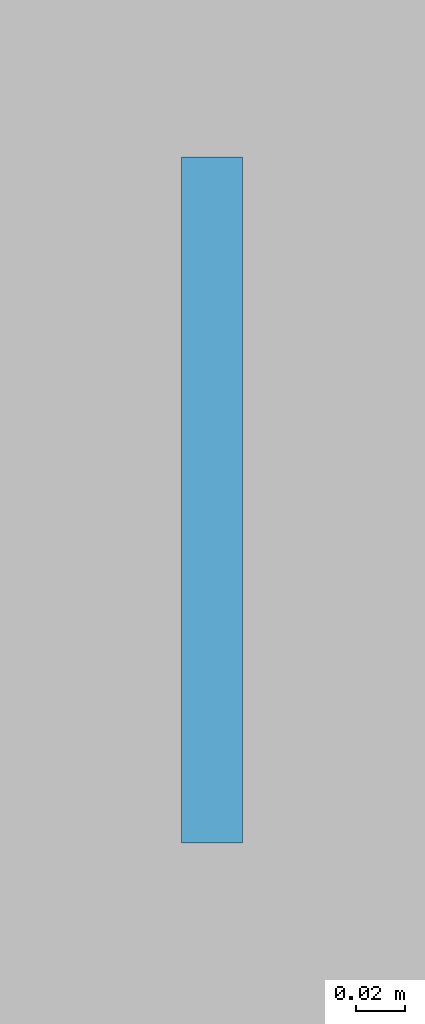
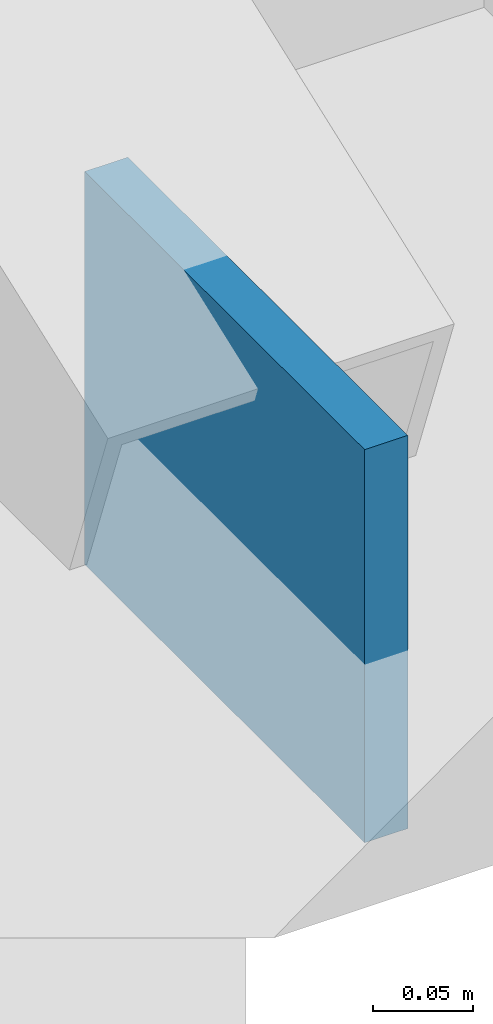
# One storey, part 117 of 147: 1 plate.
"""IFC4 building model written with IfcOpenShell, lengths in metres."""

import ifcopenshell
import ifcopenshell.guid

model = None  # the IFC model being written
_history = None  # IfcOwnerHistory: only IFC2X3 demands one
_inside = {}  # id of a spatial element -> (the spatial element, [elements in it])
_under = {}  # id of a project, library or spatial element -> (it, [spatial elements below it])
_declared = {}  # id of a project -> (the project, [libraries it declares])
_typed = {}  # id of a type object -> (the type object, [elements of that type])
_made_of = {}  # id of a material, layer set ... -> (it, [elements and type objects made of it])


def new_model(schema):
    """Start an empty IFC model of exactly this schema.

    Asked for "IFC4X3", IfcOpenShell would pick the latest addendum, in which some entities
    have other attributes; the version numbers below select the first issue.
    IFC2X3 requires an IfcOwnerHistory on every rooted entity: one is made here for all.
    """
    global model, _history
    if schema == "IFC4X3":
        model = ifcopenshell.file(schema_version=(4, 3, 0, 0))
    else:
        model = ifcopenshell.file(schema=schema)
    _inside.clear()
    _under.clear()
    _declared.clear()
    _typed.clear()
    _made_of.clear()
    _history = None
    if model.schema == "IFC2X3":
        org = make("IfcOrganization", Name="unknown")
        user = make(
            "IfcPersonAndOrganization",
            ThePerson=make("IfcPerson", FamilyName="unknown"),
            TheOrganization=org,
        )
        app = make(
            "IfcApplication",
            ApplicationDeveloper=org,
            Version="unknown",
            ApplicationFullName="unknown",
            ApplicationIdentifier="unknown",
        )
        _history = make(
            "IfcOwnerHistory",
            OwningUser=user,
            OwningApplication=app,
            ChangeAction="ADDED",
            CreationDate=0,
        )
    return model


def make(cls, **values):
    """One entity of the class cls with the attributes given. An attribute that is None is left unset."""
    return model.create_entity(
        cls, **{name: value for name, value in values.items() if value is not None}
    )


def rooted(cls, **values):
    """An entity with a GlobalId (a new one), such as an element, a storey or a relation."""
    return make(cls, GlobalId=ifcopenshell.guid.new(), OwnerHistory=_history, **values)


def si_unit(unit_type, name, prefix=None):
    """IfcSIUnit, for example si_unit("LENGTHUNIT", "METRE", prefix="MILLI")."""
    return make("IfcSIUnit", UnitType=unit_type, Prefix=prefix, Name=name)


def assignment(units):
    """IfcUnitAssignment: the units of a project."""
    return None if units is None else make("IfcUnitAssignment", Units=units)


def point(xyz):
    """IfcCartesianPoint."""
    return None if xyz is None else make("IfcCartesianPoint", Coordinates=xyz)


def direction(xyz):
    """IfcDirection."""
    return None if xyz is None else make("IfcDirection", DirectionRatios=xyz)


def frame(location, z_axis=None, x_axis=None):
    """IfcAxis2Placement3D, a coordinate frame: its origin and axes. An axis left out is left unset."""
    return make(
        "IfcAxis2Placement3D",
        Location=point(location),
        Axis=direction(z_axis),
        RefDirection=direction(x_axis),
    )


def frame_2d(location, x_axis=None):
    """IfcAxis2Placement2D, a coordinate frame in the plane: its origin and x axis."""
    return make(
        "IfcAxis2Placement2D", Location=point(location), RefDirection=direction(x_axis)
    )


def origin():
    """The frame at (0, 0, 0) with its axes left unset."""
    return frame((0.0, 0.0, 0.0))


def origin_2d():
    """The frame at (0, 0) in the plane with its x axis left unset."""
    return frame_2d((0.0, 0.0))


def place(relative_to, where):
    """IfcLocalPlacement: puts the frame where relative to a parent placement (None: the world)."""
    return make(
        "IfcLocalPlacement", PlacementRelTo=relative_to, RelativePlacement=where
    )


def context(
    kind, dimensions, precision=None, world=None, true_north=None, identifier=None
):
    """IfcGeometricRepresentationContext, for example the 3D "Model" context."""
    return make(
        "IfcGeometricRepresentationContext",
        ContextIdentifier=identifier,
        ContextType=kind,
        CoordinateSpaceDimension=dimensions,
        Precision=precision,
        WorldCoordinateSystem=world,
        TrueNorth=true_north,
    )


def subcontext(parent, identifier, kind, view, scale=None):
    """IfcGeometricRepresentationSubContext, for example "Body" below "Model"."""
    return make(
        "IfcGeometricRepresentationSubContext",
        ContextIdentifier=identifier,
        ContextType=kind,
        ParentContext=parent,
        TargetScale=scale,
        TargetView=view,
    )


def project(units=None, contexts=None):
    """IfcProject with its units and contexts."""
    return rooted(
        "IfcProject",
        Name="project",
        RepresentationContexts=contexts,
        UnitsInContext=assignment(units),
    )


def spatial(cls, under=None, at=None, **own):
    """A site, building, storey or space (cls), placed at a placement, below another one or the project."""
    s = rooted(cls, ObjectPlacement=at, **own)
    if under is not None:
        _under.setdefault(under.id(), (under, []))[1].append(s)
    return s


def profile(cls, at=None, kind="AREA", **sizes):
    """A parametric profile (cls). Its sizes go by their IFC names, for example OverallWidth=200.0."""
    return make(cls, ProfileType=kind, Position=at, **sizes)


def rectangle(**sizes):
    """IfcRectangleProfileDef."""
    return profile("IfcRectangleProfileDef", **sizes)


def extrude(swept, where, along, depth):
    """IfcExtrudedAreaSolid: the profile swept, set in the frame where, extruded along a direction by depth."""
    return make(
        "IfcExtrudedAreaSolid",
        SweptArea=swept,
        Position=where,
        ExtrudedDirection=direction(along),
        Depth=depth,
    )


def shape(context_of_items, identifier, shape_type, items):
    """IfcShapeRepresentation: the items that make up one representation, for example the "Body"."""
    return make(
        "IfcShapeRepresentation",
        ContextOfItems=context_of_items,
        RepresentationIdentifier=identifier,
        RepresentationType=shape_type,
        Items=items,
    )


def material(Name=None, Category=None):
    """IfcMaterial."""
    return make("IfcMaterial", Name=Name, Category=Category)


def layer(
    of_material, thickness, ventilated=None, Name=None, Category=None, Priority=None
):
    """IfcMaterialLayer: one layer of a wall or slab, of a material (None: an air gap)."""
    return make(
        "IfcMaterialLayer",
        Material=of_material,
        LayerThickness=thickness,
        IsVentilated=ventilated,
        Name=Name,
        Category=Category,
        Priority=Priority,
    )


def layer_set(layers, Name=None):
    """IfcMaterialLayerSet."""
    return make("IfcMaterialLayerSet", MaterialLayers=layers, LayerSetName=Name)


def made_of(thing, what):
    """Note that an element or type object is made of a material, layer set ...; save() writes the relation."""
    if what is not None:
        _made_of.setdefault(what.id(), (what, []))[1].append(thing)
    return thing


def type_object(cls, material=None, **own):
    """A type object (cls), such as IfcWallType, which elements share."""
    return made_of(rooted(cls, **own), material)


def element(
    cls,
    number,
    at=None,
    inside=None,
    cuts=None,
    type_object=None,
    material=None,
    context=None,
    identifier="Body",
    shape_type=None,
    held_by="IfcProductDefinitionShape",
    body=None,
    shapes=None,
    **own,
):
    """One element of the class cls, such as IfcWall. Its Tag is "e" and its number.

    at: its placement. inside: the storey or other place that contains it. cuts: it is an
    opening in that element (IfcRelVoidsElement). A single representation is given by context,
    identifier, shape_type and body (its items); several are given by shapes. held_by: the class
    of the entity that holds the representations. save() writes the other relations.
    """
    e = rooted(cls, Tag="e%d" % number, ObjectPlacement=at, **own)
    if body is not None:
        shapes = [shape(context, identifier, shape_type, body)]
    if shapes is not None:
        e.Representation = make(held_by, Representations=shapes)
    if inside is not None:
        _inside.setdefault(inside.id(), (inside, []))[1].append(e)
    if cuts is not None:
        rooted(
            "IfcRelVoidsElement", RelatingBuildingElement=cuts, RelatedOpeningElement=e
        )
    if type_object is not None:
        _typed.setdefault(type_object.id(), (type_object, []))[1].append(e)
    return made_of(e, material)


def aggregate(whole, parts):
    """IfcRelAggregates: a whole, such as a stair, and the parts it consists of."""
    return rooted("IfcRelAggregates", RelatingObject=whole, RelatedObjects=parts)


def save(model, path):
    """Write the relations noted so far, then the file.

    IfcRelAggregates (storeys below a building ...), IfcRelContainedInSpatialStructure (elements
    in a storey), IfcRelDefinesByType, IfcRelAssociatesMaterial and IfcRelDeclares: one each for
    every whole, place, type object, material and project.
    """
    for whole, parts in _under.values():
        aggregate(whole, parts)
    for where, things in _inside.values():
        rooted(
            "IfcRelContainedInSpatialStructure",
            RelatedElements=things,
            RelatingStructure=where,
        )
    for kind, things in _typed.values():
        rooted("IfcRelDefinesByType", RelatedObjects=things, RelatingType=kind)
    for what, things in _made_of.values():
        rooted("IfcRelAssociatesMaterial", RelatedObjects=things, RelatingMaterial=what)
    for by, libraries in _declared.values():
        rooted("IfcRelDeclares", RelatingContext=by, RelatedDefinitions=libraries)
    model.write(path)


model = new_model("IFC4")

# Units and contexts
model_context = context("Model", 3, precision=1e-05, world=origin(), true_north=direction((0.0, 1.0)))
body_context = subcontext(model_context, "Body", "Model", "MODEL_VIEW")
ifc_project = project(units=[si_unit("LENGTHUNIT", "METRE"), si_unit("AREAUNIT", "SQUARE_METRE"), si_unit("VOLUMEUNIT", "CUBIC_METRE"), si_unit("PLANEANGLEUNIT", "RADIAN"), si_unit("MASSUNIT", "GRAM", prefix="KILO")], contexts=[model_context])

# Site, building, storey
site_placement = place(None, origin())
site = spatial("IfcSite", under=ifc_project, at=site_placement, CompositionType="ELEMENT")
building_placement = place(site_placement, origin())
building = spatial("IfcBuilding", under=site, at=building_placement, Name="Karori Crest Natural Sciences Institute", CompositionType="ELEMENT")
storey_placement = place(building_placement, frame((0.0, 0.0, 9.10009765625)))
storey = spatial("IfcBuildingStorey", under=building, at=storey_placement, Name="L02", CompositionType="ELEMENT", Elevation=9.10009765625)

# Plate
ifc_material = material(Name="Structural steel AS/NZS 3679.1 Grade 350", Category="steel")
ifc_layer = layer(ifc_material, 0.02490234375, Name="Structural steel AS/NZS 3679.1 Grade 350")
ifc_layer_set = layer_set([ifc_layer], Name="Structural steel AS/NZS 3679.1 Grade 350")
plate_type = type_object("IfcPlateType", Name="PLT-06-EL", PredefinedType="SHEET", material=ifc_layer_set)
plate_placement = place(storey_placement, frame((27.199951171875, 95.0, -0.10986328125), z_axis=(0.0, 0.0, 1.0), x_axis=(0.0, 1.0, 0.0)))
element("IfcPlate", 1, at=plate_placement, inside=storey, type_object=plate_type, Name="Brace gusset plate EP-0370", PredefinedType="SHEET", context=body_context, shape_type="SweptSolid", body=[
    extrude(rectangle(XDim=0.280029296875, YDim=0.02490234375, at=origin_2d()), origin(), (0.0, 0.0, 1.0), 0.239990234375),
])

save(model, "model.ifc")
